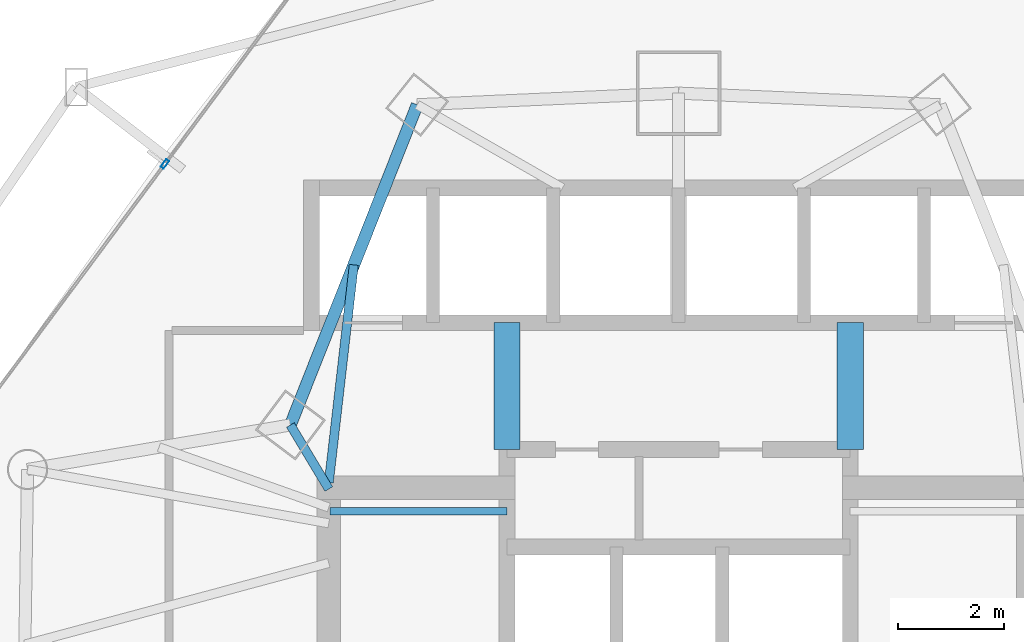
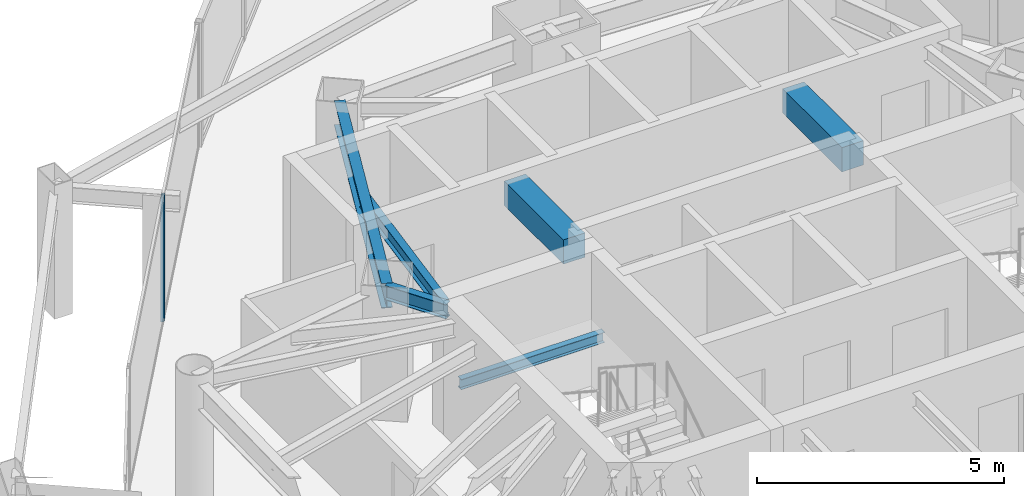
# One storey, part 21 of 33: 6 beams, 1 member, 1 element without a shape of its own.
"""IFC4 building model written with IfcOpenShell, lengths in metres."""

from ifc_helpers import new_model, si_unit, direction, frame, origin, origin_2d, place, context, subcontext, project, spatial, rectangle, hollow_rectangle, i_section, extrude, material, layer, layer_set, material_profile, profile_set, type_object, element, aggregate, save


model = new_model("IFC4")

# Units and contexts
model_context = context("Model", 3, precision=1e-05, world=origin(), true_north=direction((0.0, 1.0)))
body_context = subcontext(model_context, "Body", "Model", "MODEL_VIEW")
ifc_project = project(units=[si_unit("LENGTHUNIT", "METRE"), si_unit("AREAUNIT", "SQUARE_METRE"), si_unit("VOLUMEUNIT", "CUBIC_METRE"), si_unit("PLANEANGLEUNIT", "RADIAN"), si_unit("MASSUNIT", "GRAM", prefix="KILO")], contexts=[model_context])

# Site, building, storey
site_placement = place(None, origin())
site = spatial("IfcSite", under=ifc_project, at=site_placement, CompositionType="ELEMENT")
building_placement = place(site_placement, origin())
building = spatial("IfcBuilding", under=site, at=building_placement, Name="Orvanel Arch Residences", CompositionType="ELEMENT")
storey_placement = place(building_placement, frame((0.0, 0.0, 84.050048828125)))
storey = spatial("IfcBuildingStorey", under=building, at=storey_placement, Name="L23", CompositionType="ELEMENT", Elevation=84.050048828125)

# Beams
ifc_material_1 = material(Name="Structural steel AS/NZS 3679.1 Grade 300 (300 MPa)", Category="steel")
ifc_material_profile_1 = material_profile(ifc_material_1, i_section(OverallWidth=0.14599609375, OverallDepth=0.251953125, WebThickness=0.006103515625, FlangeThickness=0.008544921875, at=origin_2d()), Name="250UB31.4")
ifc_profile_set_1 = profile_set([ifc_material_profile_1], Name="Structural steel AS/NZS 3679.1 Grade 300 (300 MPa)")
beam_type_1 = type_object("IfcBeamType", Name="BJ-250UB", PredefinedType="JOIST", material=ifc_profile_set_1)
beam_1_placement = place(storey_placement, frame((26.39990234375, 33.47998046875, 1.323974609375), z_axis=(1.0, 0.0, 0.0), x_axis=(0.0, 1.0, 0.0)))
element("IfcBeam", 1, at=beam_1_placement, inside=storey, type_object=beam_type_1, Name="L23 ST-1 Half-Landing Support Beam 1.2", PredefinedType="JOIST", context=body_context, shape_type="SweptSolid", body=[
    extrude(i_section(OverallWidth=0.14599609375, OverallDepth=0.251953125, WebThickness=0.006103515625, FlangeThickness=0.008544921875, at=origin_2d()), origin(), (0.0, 0.0, 1.0), 3.35009765625),
])
ifc_material_profile_2 = material_profile(ifc_material_1, i_section(OverallWidth=0.1708984375, OverallDepth=0.35595703125, WebThickness=0.00732421875, FlangeThickness=0.011474609375, at=origin_2d()), Name="360UB50.7")
ifc_profile_set_2 = profile_set([ifc_material_profile_2], Name="Structural steel AS/NZS 3679.1 Grade 300 (300 MPa)")
beam_type_2 = type_object("IfcBeamType", Name="BJ-360UB", PredefinedType="JOIST", material=ifc_profile_set_2)
beam_2_placement = place(storey_placement, frame((26.375, 33.89990234375, 2.8818359375), z_axis=(-0.514064138778, 0.857751748015, 0.0), x_axis=(-0.857751748015, -0.514064138778, 0.0)))
element("IfcBeam", 2, at=beam_2_placement, inside=storey, type_object=beam_type_2, Name="L23 NNW Wing Floor Joist", PredefinedType="JOIST", context=body_context, shape_type="SweptSolid", body=[
    extrude(i_section(OverallWidth=0.1708984375, OverallDepth=0.35595703125, WebThickness=0.00732421875, FlangeThickness=0.011474609375, at=origin_2d()), origin(), (0.0, 0.0, 1.0), 1.414306640625),
])
beam_3_placement = place(storey_placement, frame((26.375, 34.02001953125, 2.8818359375), z_axis=(0.114186670431, 0.993459311847, 0.0), x_axis=(-0.993459311847, 0.114186670431, 0.0)))
element("IfcBeam", 3, at=beam_3_placement, inside=storey, type_object=beam_type_2, Name="L23 NNW2 Wing Floor Joist", PredefinedType="JOIST", context=body_context, shape_type="SweptSolid", body=[
    extrude(i_section(OverallWidth=0.1708984375, OverallDepth=0.35595703125, WebThickness=0.00732421875, FlangeThickness=0.011474609375, at=origin_2d()), origin(), (0.0, 0.0, 1.0), 4.152099609375),
])
ifc_material_2 = material(Name="Concrete S65 (65 MPa)", Category="concrete")
ifc_material_profile_3 = material_profile(ifc_material_2, rectangle(XDim=0.5, YDim=0.60009765625, at=origin_2d()), Name="RC500x600")
ifc_profile_set_3 = profile_set([ifc_material_profile_3], Name="Concrete S65 (65 MPa)")
beam_type_3 = type_object("IfcBeamType", Name="CB-500x600", PredefinedType="LINTEL", material=ifc_profile_set_3)
for number, where, z_axis, x_axis, name in (
    (4, (29.75, 34.64990234375, 2.760009765625), (0.0, 1.0, 0.0), (-1.0, 0.0, 0.0), "L23 West Core Lobby Coupling Lintel Beam"),
    (5, (36.25, 34.64990234375, 2.760009765625), (0.0, 1.0, 0.0), (-1.0, 0.0, 0.0), "L23 East Core Lobby Coupling Lintel Beam"),
):
    element("IfcBeam", number, at=place(storey_placement, frame(where, z_axis=z_axis, x_axis=x_axis)), inside=storey, type_object=beam_type_3, Name=name, PredefinedType="LINTEL", context=body_context, shape_type="SweptSolid", body=[
        extrude(rectangle(XDim=0.5, YDim=0.60009765625, at=origin_2d()), origin(), (0.0, 0.0, 1.0), 2.400146484375),
    ])

# Curtain wall, member
ifc_material_3 = material(Name="Bronze-anodised aluminium AA6063-T6", Category="aluminium")
ifc_layer = layer(ifc_material_3, 0.179931640625)
ifc_layer_set = layer_set([ifc_layer], Name="Bronze-anodised aluminium AA6063-T6")
curtain_wall_type = type_object("IfcCurtainWallType", Name="CW2-LOW-SYS", PredefinedType="NOTDEFINED", material=ifc_layer_set)
curtain_wall_placement = place(storey_placement, origin())
curtain_wall = element("IfcCurtainWall", 6, at=curtain_wall_placement, inside=storey, type_object=curtain_wall_type, Name="L23 CW2-LOW-SYS Unitised Curtain Wall", PredefinedType="NOTDEFINED")
ifc_material_profile_4 = material_profile(ifc_material_3, hollow_rectangle(XDim=0.070068359375, YDim=0.179931640625, WallThickness=0.00439453125, at=origin_2d()), Name="ALU180x70x4.5")
ifc_profile_set_4 = profile_set([ifc_material_profile_4], Name="Bronze-anodised aluminium AA6063-T6")
member_type = type_object("IfcMemberType", Name="MUL-180x70", PredefinedType="MULLION", material=ifc_profile_set_4)
member_placement = place(storey_placement, frame((23.27099609375, 40.056396484375, 0.0), z_axis=(0.0, 0.0, 1.0), x_axis=(0.80276182632, -0.59629979893, 0.0)))
member = element("IfcMember", 7, at=member_placement, type_object=member_type, Name="CW-S2 mullion 2", PredefinedType="MULLION", context=body_context, shape_type="SweptSolid", body=[
    extrude(hollow_rectangle(XDim=0.070068359375, YDim=0.179931640625, WallThickness=0.00439453125, at=origin_2d()), origin(), (0.0, 0.0, 1.0), 3.06005859375),
])
aggregate(curtain_wall, [member])

# Beam
ifc_material_profile_5 = material_profile(ifc_material_1, i_section(OverallWidth=0.22900390625, OverallDepth=0.612060546875, WebThickness=0.011962890625, FlangeThickness=0.01953125, at=origin_2d()), Name="610UB125")
ifc_profile_set_5 = profile_set([ifc_material_profile_5], Name="Structural steel AS/NZS 3679.1 Grade 300 (300 MPa)")
beam_type_4 = type_object("IfcBeamType", Name="SP-610UB", PredefinedType="SPANDREL", material=ifc_profile_set_5)
beam_4_placement = place(storey_placement, frame((28.050048828125, 41.177978515625, 2.75390625), z_axis=(-0.368233143579, -0.929733484376, 0.0), x_axis=(0.929733484376, -0.368233143579, 0.0)))
element("IfcBeam", 8, at=beam_4_placement, inside=storey, type_object=beam_type_4, Name="L23 Perimeter Spandrel Beam 18", PredefinedType="SPANDREL", context=body_context, shape_type="SweptSolid", body=[
    extrude(i_section(OverallWidth=0.22900390625, OverallDepth=0.612060546875, WebThickness=0.011962890625, FlangeThickness=0.01953125, at=origin_2d()), origin(), (0.0, 0.0, 1.0), 6.523193359375),
])

save(model, "model.ifc")
